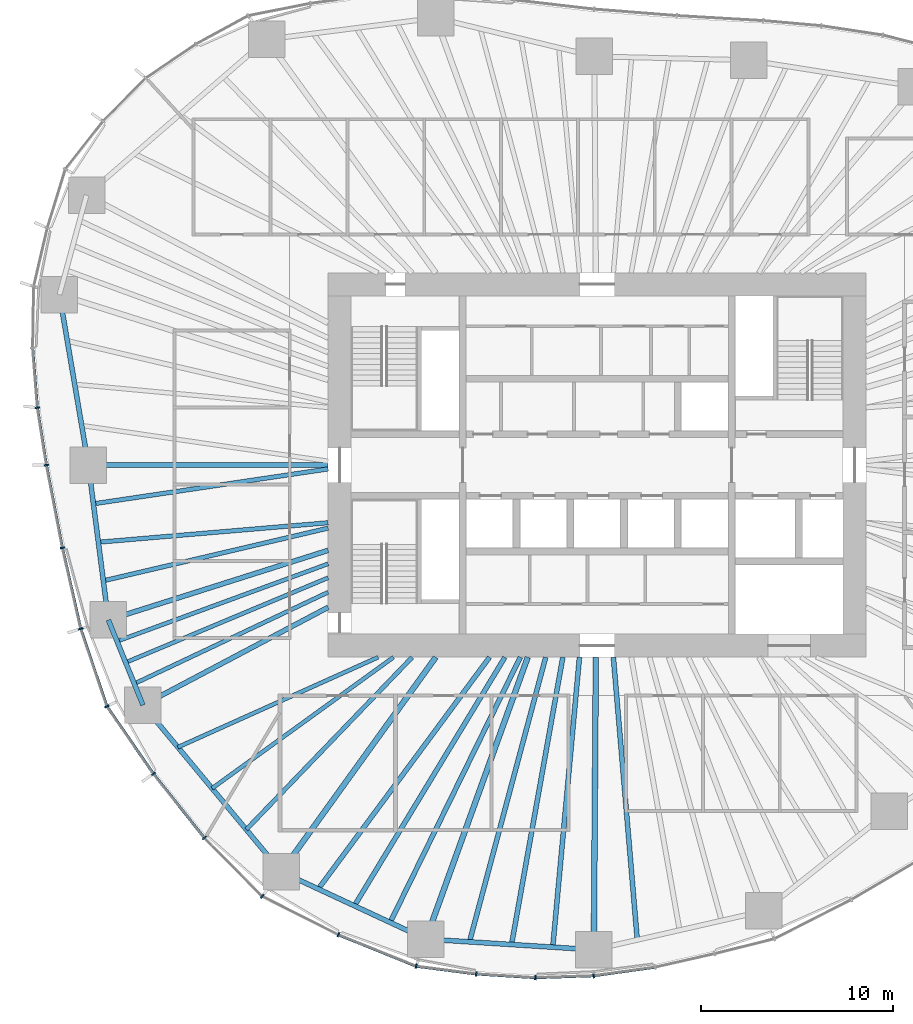
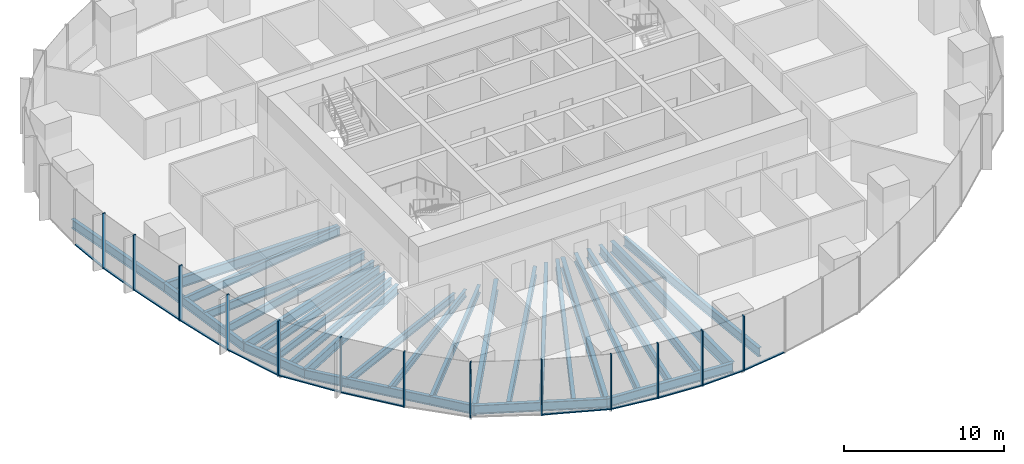
# One storey, part 2 of 20: 28 beams, 25 members, 7 elements without a shape of their own.
"""IFC4 building model written with IfcOpenShell, lengths in metres."""

from ifc_helpers import new_model, si_unit, direction, frame, origin, origin_2d, place, context, subcontext, project, spatial, rectangle, i_section, extrude, material, material_profile, profile_set, type_object, element, aggregate, save


model = new_model("IFC4")

# Units and contexts
model_context = context("Model", 3, precision=1e-05, world=origin(), true_north=direction((0.0, 1.0)))
body_context = subcontext(model_context, "Body", "Model", "MODEL_VIEW")
ifc_project = project(units=[si_unit("LENGTHUNIT", "METRE"), si_unit("AREAUNIT", "SQUARE_METRE"), si_unit("VOLUMEUNIT", "CUBIC_METRE"), si_unit("PLANEANGLEUNIT", "RADIAN"), si_unit("MASSUNIT", "GRAM", prefix="KILO")], contexts=[model_context])

# Site, building, storey
site_placement = place(None, origin())
site = spatial("IfcSite", under=ifc_project, at=site_placement, CompositionType="ELEMENT")
building_placement = place(site_placement, origin())
building = spatial("IfcBuilding", under=site, at=building_placement, Name="Ghaith Harvest Tower", CompositionType="ELEMENT")
storey_placement = place(building_placement, frame((0.0, 0.0, 109.199951171875)))
storey = spatial("IfcBuildingStorey", under=building, at=storey_placement, Name="L22", CompositionType="ELEMENT", Elevation=109.199951171875)

# Curtain wall, member
ifc_material_1 = material(Name="Black anodised aluminium and fritted glass", Category="aluminium")
curtain_wall_type = type_object("IfcCurtainWallType", Name="CW-L CURTAIN WALL", PredefinedType="NOTDEFINED", material=ifc_material_1)
curtain_wall_1_placement = place(storey_placement, origin())
curtain_wall_1 = element("IfcCurtainWall", 1, at=curtain_wall_1_placement, inside=storey, type_object=curtain_wall_type, Name="Curtain wall CW-L bay 10 L22", PredefinedType="NOTDEFINED")
ifc_material_2 = material(Name="Aluminium, black anodised", Category="aluminium")
ifc_material_profile_1 = material_profile(ifc_material_2, rectangle(XDim=0.080078125, YDim=0.239990234375, at=origin_2d()), Name="CW-L MULLION 80x240")
ifc_profile_set_1 = profile_set([ifc_material_profile_1], Name="Aluminium, black anodised")
member_type_1 = type_object("IfcMemberType", Name="CW-L MULLION 80x240", PredefinedType="MULLION", material=ifc_profile_set_1)
member_1_placement = place(storey_placement, frame((-29.131103515625, 2.990478515625, 0.0), z_axis=(0.0, 0.0, 1.0), x_axis=(0.116763791346, -0.993159713757, 0.0)))
member_1 = element("IfcMember", 2, at=member_1_placement, type_object=member_type_1, Name="CW-L mullion 3 bay 10 L22", PredefinedType="MULLION", context=body_context, shape_type="SweptSolid", body=[
    extrude(rectangle(XDim=0.080078125, YDim=0.239990234375, at=origin_2d()), origin(), (0.0, 0.0, 1.0), 4.199951171875),
])

# Curtain wall, members
curtain_wall_2_placement = place(storey_placement, origin())
curtain_wall_2 = element("IfcCurtainWall", 3, at=curtain_wall_2_placement, inside=storey, type_object=curtain_wall_type, Name="Curtain wall CW-L bay 11 L22", PredefinedType="NOTDEFINED")
member_2_placement = place(storey_placement, frame((-28.6611328125, 0.0, 0.0), z_axis=(0.0, 0.0, 1.0), x_axis=(0.175827209372, -0.984421044292, 0.0)))
member_2 = element("IfcMember", 4, at=member_2_placement, type_object=member_type_1, Name="CW-L mullion 1 bay 11 L22", PredefinedType="MULLION", context=body_context, shape_type="SweptSolid", body=[
    extrude(rectangle(XDim=0.080078125, YDim=0.239990234375, at=origin_2d()), origin(), (0.0, 0.0, 1.0), 4.199951171875),
])
member_3_placement = place(storey_placement, frame((-27.828125, -4.30419921875, 0.0), z_axis=(0.0, 0.0, 1.0), x_axis=(0.205176300018, -0.978725030798, 0.0)))
member_3 = element("IfcMember", 5, at=member_3_placement, type_object=member_type_1, Name="CW-L mullion 2 bay 11 L22", PredefinedType="MULLION", context=body_context, shape_type="SweptSolid", body=[
    extrude(rectangle(XDim=0.080078125, YDim=0.239990234375, at=origin_2d()), origin(), (0.0, 0.0, 1.0), 4.199951171875),
])

curtain_wall_3_placement = place(storey_placement, origin())
curtain_wall_3 = element("IfcCurtainWall", 6, at=curtain_wall_3_placement, inside=storey, type_object=curtain_wall_type, Name="Curtain wall CW-L bay 12 L22", PredefinedType="NOTDEFINED")
member_4_placement = place(storey_placement, frame((-26.875732421875, -8.517333984375, 0.0), z_axis=(0.0, 0.0, 1.0), x_axis=(0.270018818005, -0.962855045125, 0.0)))
member_4 = element("IfcMember", 7, at=member_4_placement, type_object=member_type_1, Name="CW-L mullion 1 bay 12 L22", PredefinedType="MULLION", context=body_context, shape_type="SweptSolid", body=[
    extrude(rectangle(XDim=0.080078125, YDim=0.239990234375, at=origin_2d()), origin(), (0.0, 0.0, 1.0), 4.199951171875),
])
member_5_placement = place(storey_placement, frame((-25.513427734375, -12.55810546875, 0.0), z_axis=(0.0, 0.0, 1.0), x_axis=(0.448267068681, -0.893899678452, 0.0)))
member_5 = element("IfcMember", 8, at=member_5_placement, type_object=member_type_1, Name="CW-L mullion 2 bay 12 L22", PredefinedType="MULLION", context=body_context, shape_type="SweptSolid", body=[
    extrude(rectangle(XDim=0.080078125, YDim=0.239990234375, at=origin_2d()), origin(), (0.0, 0.0, 1.0), 4.199951171875),
])

curtain_wall_4_placement = place(storey_placement, origin())
curtain_wall_4 = element("IfcCurtainWall", 9, at=curtain_wall_4_placement, inside=storey, type_object=curtain_wall_type, Name="Curtain wall CW-L bay 13 L22", PredefinedType="NOTDEFINED")
member_6_placement = place(storey_placement, frame((-23.090087890625, -16.066162109375, 0.0), z_axis=(0.0, 0.0, 1.0), x_axis=(0.595740202191, -0.803177198066, 0.0)))
member_6 = element("IfcMember", 10, at=member_6_placement, type_object=member_type_1, Name="CW-L mullion 1 bay 13 L22", PredefinedType="MULLION", context=body_context, shape_type="SweptSolid", body=[
    extrude(rectangle(XDim=0.080078125, YDim=0.239990234375, at=origin_2d()), origin(), (0.0, 0.0, 1.0), 4.199951171875),
])
member_7_placement = place(storey_placement, frame((-20.441162109375, -19.396728515625, 0.0), z_axis=(0.0, 0.0, 1.0), x_axis=(0.663764675537, -0.747941478666, 0.0)))
member_7 = element("IfcMember", 11, at=member_7_placement, type_object=member_type_1, Name="CW-L mullion 2 bay 13 L22", PredefinedType="MULLION", context=body_context, shape_type="SweptSolid", body=[
    extrude(rectangle(XDim=0.080078125, YDim=0.239990234375, at=origin_2d()), origin(), (0.0, 0.0, 1.0), 4.199951171875),
])

curtain_wall_5_placement = place(storey_placement, origin())
curtain_wall_5 = element("IfcCurtainWall", 12, at=curtain_wall_5_placement, inside=storey, type_object=curtain_wall_type, Name="Curtain wall CW-L bay 14 L22", PredefinedType="NOTDEFINED")
member_8_placement = place(storey_placement, frame((-17.430419921875, -22.443603515625, 0.0), z_axis=(0.0, 0.0, 1.0), x_axis=(0.810339399222, -0.585960799089, 0.0)))
member_8 = element("IfcMember", 13, at=member_8_placement, type_object=member_type_1, Name="CW-L mullion 1 bay 14 L22", PredefinedType="MULLION", context=body_context, shape_type="SweptSolid", body=[
    extrude(rectangle(XDim=0.080078125, YDim=0.239990234375, at=origin_2d()), origin(), (0.0, 0.0, 1.0), 4.199951171875),
])
member_9_placement = place(storey_placement, frame((-13.463134765625, -24.4423828125, 0.0), z_axis=(0.0, 0.0, 1.0), x_axis=(0.910648017946, -0.413182995066, 0.0)))
member_9 = element("IfcMember", 14, at=member_9_placement, type_object=member_type_1, Name="CW-L mullion 2 bay 14 L22", PredefinedType="MULLION", context=body_context, shape_type="SweptSolid", body=[
    extrude(rectangle(XDim=0.080078125, YDim=0.239990234375, at=origin_2d()), origin(), (0.0, 0.0, 1.0), 4.199951171875),
])

curtain_wall_6_placement = place(storey_placement, origin())
curtain_wall_6 = element("IfcCurtainWall", 15, at=curtain_wall_6_placement, inside=storey, type_object=curtain_wall_type, Name="Curtain wall CW-L bay 15 L22", PredefinedType="NOTDEFINED")
member_10_placement = place(storey_placement, frame((-9.4189453125, -26.07861328125, 0.0), z_axis=(0.0, 0.0, 1.0), x_axis=(0.961788606004, -0.273793128768, 0.0)))
member_10 = element("IfcMember", 16, at=member_10_placement, type_object=member_type_1, Name="CW-L mullion 1 bay 15 L22", PredefinedType="MULLION", context=body_context, shape_type="SweptSolid", body=[
    extrude(rectangle(XDim=0.080078125, YDim=0.239990234375, at=origin_2d()), origin(), (0.0, 0.0, 1.0), 4.199951171875),
])
member_11_placement = place(storey_placement, frame((-6.29443359375, -26.483154296875, 0.0), z_axis=(0.0, 0.0, 1.0), x_axis=(0.995389243171, -0.095917957546, 0.0)))
member_11 = element("IfcMember", 17, at=member_11_placement, type_object=member_type_1, Name="CW-L mullion 2 bay 15 L22", PredefinedType="MULLION", context=body_context, shape_type="SweptSolid", body=[
    extrude(rectangle(XDim=0.080078125, YDim=0.239990234375, at=origin_2d()), origin(), (0.0, 0.0, 1.0), 4.199951171875),
])
member_12_placement = place(storey_placement, frame((-3.21923828125, -26.676025390625, 0.0), z_axis=(0.0, 0.0, 1.0), x_axis=(0.999890531495, -0.014796115241, 0.0)))
member_12 = element("IfcMember", 18, at=member_12_placement, type_object=member_type_1, Name="CW-L mullion 3 bay 15 L22", PredefinedType="MULLION", context=body_context, shape_type="SweptSolid", body=[
    extrude(rectangle(XDim=0.080078125, YDim=0.239990234375, at=origin_2d()), origin(), (0.0, 0.0, 1.0), 4.199951171875),
])

# Curtain wall, member
curtain_wall_7_placement = place(storey_placement, origin())
curtain_wall_7 = element("IfcCurtainWall", 19, at=curtain_wall_7_placement, inside=storey, type_object=curtain_wall_type, Name="Curtain wall CW-L bay 16 L22", PredefinedType="NOTDEFINED")
member_13_placement = place(storey_placement, frame((-0.181884765625, -26.57373046875, 0.0), z_axis=(0.0, 0.0, 1.0), x_axis=(0.996169227662, 0.087446382772, 0.0)))
member_13 = element("IfcMember", 20, at=member_13_placement, type_object=member_type_1, Name="CW-L mullion 1 bay 16 L22", PredefinedType="MULLION", context=body_context, shape_type="SweptSolid", body=[
    extrude(rectangle(XDim=0.080078125, YDim=0.239990234375, at=origin_2d()), origin(), (0.0, 0.0, 1.0), 4.199951171875),
])

# Member
ifc_material_3 = material(Name="Aluminium, black anodised", Category="aluminium")
ifc_material_profile_2 = material_profile(ifc_material_3, rectangle(XDim=0.14990234375, YDim=0.080078125, at=origin_2d()), Name="CW-L TRANSOM 150x80")
ifc_profile_set_2 = profile_set([ifc_material_profile_2], Name="Aluminium, black anodised")
member_type_2 = type_object("IfcMemberType", Name="CW-L TRANSOM 150x80", PredefinedType="USERDEFINED", material=ifc_profile_set_2)
member_14_placement = place(storey_placement, frame((-29.374755859375, 6.05615234375, 0.0400390625), z_axis=(0.079230491279, -0.996856323274, 0.0), x_axis=(0.996856323274, 0.079230491279, 0.0)))
member_14 = element("IfcMember", 21, at=member_14_placement, type_object=member_type_2, Name="CW-L transom 2 bay 10 L22", ObjectType="TRANSOM", PredefinedType="USERDEFINED", context=body_context, shape_type="SweptSolid", body=[
    extrude(rectangle(XDim=0.14990234375, YDim=0.080078125, at=origin_2d()), origin(), (0.0, 0.0, 1.0), 3.03515625),
])

member_15_placement = place(storey_placement, frame((-29.124755859375, 2.951171875, 0.0400390625), z_axis=(0.155150065502, -0.987890913601, 0.0), x_axis=(0.987890913601, 0.155150065502, 0.0)))
member_15 = element("IfcMember", 22, at=member_15_placement, type_object=member_type_2, Name="CW-L transom 3 bay 10 L22", ObjectType="TRANSOM", PredefinedType="USERDEFINED", context=body_context, shape_type="SweptSolid", body=[
    extrude(rectangle(XDim=0.14990234375, YDim=0.080078125, at=origin_2d()), origin(), (0.0, 0.0, 1.0), 2.947265625),
])

aggregate(curtain_wall_1, [member_14, member_1, member_15])

member_16_placement = place(storey_placement, frame((-28.653564453125, -0.039306640625, 0.0400390625), z_axis=(0.190025434036, -0.981779167848, 0.0), x_axis=(0.981779167848, 0.190025434036, 0.0)))
member_16 = element("IfcMember", 23, at=member_16_placement, type_object=member_type_2, Name="CW-L transom 1 bay 11 L22", ObjectType="TRANSOM", PredefinedType="USERDEFINED", context=body_context, shape_type="SweptSolid", body=[
    extrude(rectangle(XDim=0.14990234375, YDim=0.080078125, at=origin_2d()), origin(), (0.0, 0.0, 1.0), 4.303955078125),
])

member_17_placement = place(storey_placement, frame((-27.8193359375, -4.34326171875, 0.0400390625), z_axis=(0.220508326041, -0.975385092231, 0.0), x_axis=(0.975385092231, 0.220508326041, 0.0)))
member_17 = element("IfcMember", 24, at=member_17_placement, type_object=member_type_2, Name="CW-L transom 2 bay 11 L22", ObjectType="TRANSOM", PredefinedType="USERDEFINED", context=body_context, shape_type="SweptSolid", body=[
    extrude(rectangle(XDim=0.14990234375, YDim=0.080078125, at=origin_2d()), origin(), (0.0, 0.0, 1.0), 4.2392578125),
])

aggregate(curtain_wall_2, [member_2, member_16, member_3, member_17])

member_18_placement = place(storey_placement, frame((-26.863037109375, -8.55517578125, 0.0400390625), z_axis=(0.319499057133, -0.947586593664, 0.0), x_axis=(0.947586593664, 0.319499057133, 0.0)))
member_18 = element("IfcMember", 25, at=member_18_placement, type_object=member_type_2, Name="CW-L transom 1 bay 12 L22", ObjectType="TRANSOM", PredefinedType="USERDEFINED", context=body_context, shape_type="SweptSolid", body=[
    extrude(rectangle(XDim=0.14990234375, YDim=0.080078125, at=origin_2d()), origin(), (0.0, 0.0, 1.0), 4.184326171875),
])

member_19_placement = place(storey_placement, frame((-25.49072265625, -12.591064453125, 0.0400390625), z_axis=(0.568360052499, -0.822779952796, 0.0), x_axis=(0.822779952796, 0.568360052499, 0.0)))
member_19 = element("IfcMember", 26, at=member_19_placement, type_object=member_type_2, Name="CW-L transom 2 bay 12 L22", ObjectType="TRANSOM", PredefinedType="USERDEFINED", context=body_context, shape_type="SweptSolid", body=[
    extrude(rectangle(XDim=0.14990234375, YDim=0.080078125, at=origin_2d()), origin(), (0.0, 0.0, 1.0), 4.183837890625),
])

aggregate(curtain_wall_3, [member_4, member_18, member_5, member_19])

member_20_placement = place(storey_placement, frame((-23.065185546875, -16.09765625, 0.0400390625), z_axis=(0.622510542814, -0.782611413209, 0.0), x_axis=(0.782611413209, 0.622510542814, 0.0)))
member_20 = element("IfcMember", 27, at=member_20_placement, type_object=member_type_2, Name="CW-L transom 1 bay 13 L22", ObjectType="TRANSOM", PredefinedType="USERDEFINED", context=body_context, shape_type="SweptSolid", body=[
    extrude(rectangle(XDim=0.14990234375, YDim=0.080078125, at=origin_2d()), origin(), (0.0, 0.0, 1.0), 4.17529296875),
])

aggregate(curtain_wall_4, [member_6, member_20, member_7])

member_21_placement = place(storey_placement, frame((-13.426025390625, -24.45751953125, 0.0400390625), z_axis=(0.92700297754, -0.375053968959, 0.0), x_axis=(0.375053968959, 0.92700297754, 0.0)))
member_21 = element("IfcMember", 28, at=member_21_placement, type_object=member_type_2, Name="CW-L transom 2 bay 14 L22", ObjectType="TRANSOM", PredefinedType="USERDEFINED", context=body_context, shape_type="SweptSolid", body=[
    extrude(rectangle(XDim=0.14990234375, YDim=0.080078125, at=origin_2d()), origin(), (0.0, 0.0, 1.0), 4.282470703125),
])

aggregate(curtain_wall_5, [member_8, member_9, member_21])

member_22_placement = place(storey_placement, frame((-9.37939453125, -26.083740234375, 0.0400390625), z_axis=(0.991722765635, -0.128397648429, 0.0), x_axis=(0.128397648429, 0.991722765635, 0.0)))
member_22 = element("IfcMember", 29, at=member_22_placement, type_object=member_type_2, Name="CW-L transom 1 bay 15 L22", ObjectType="TRANSOM", PredefinedType="USERDEFINED", context=body_context, shape_type="SweptSolid", body=[
    extrude(rectangle(XDim=0.14990234375, YDim=0.080078125, at=origin_2d()), origin(), (0.0, 0.0, 1.0), 3.07080078125),
])

member_23_placement = place(storey_placement, frame((-6.25439453125, -26.485595703125, 0.0400390625), z_axis=(0.998036402434, -0.062636566132, 0.0), x_axis=(0.062636566132, 0.998036402434, 0.0)))
member_23 = element("IfcMember", 30, at=member_23_placement, type_object=member_type_2, Name="CW-L transom 2 bay 15 L22", ObjectType="TRANSOM", PredefinedType="USERDEFINED", context=body_context, shape_type="SweptSolid", body=[
    extrude(rectangle(XDim=0.14990234375, YDim=0.080078125, at=origin_2d()), origin(), (0.0, 0.0, 1.0), 3.001220703125),
])

member_24_placement = place(storey_placement, frame((-3.17919921875, -26.6748046875, 0.0400390625), z_axis=(0.999430436664, 0.033746144522, 0.0), x_axis=(-0.033746144522, 0.999430436664, 0.0)))
member_24 = element("IfcMember", 31, at=member_24_placement, type_object=member_type_2, Name="CW-L transom 3 bay 15 L22", ObjectType="TRANSOM", PredefinedType="USERDEFINED", context=body_context, shape_type="SweptSolid", body=[
    extrude(rectangle(XDim=0.14990234375, YDim=0.080078125, at=origin_2d()), origin(), (0.0, 0.0, 1.0), 2.958984375),
])

aggregate(curtain_wall_6, [member_10, member_22, member_11, member_23, member_12, member_24])

member_25_placement = place(storey_placement, frame((-0.142333984375, -26.568115234375, 0.0400390625), z_axis=(0.990446640965, 0.137896524254, 0.0), x_axis=(-0.137896524254, 0.990446640965, 0.0)))
member_25 = element("IfcMember", 32, at=member_25_placement, type_object=member_type_2, Name="CW-L transom 1 bay 16 L22", ObjectType="TRANSOM", PredefinedType="USERDEFINED", context=body_context, shape_type="SweptSolid", body=[
    extrude(rectangle(XDim=0.14990234375, YDim=0.080078125, at=origin_2d()), origin(), (0.0, 0.0, 1.0), 3.142578125),
])

aggregate(curtain_wall_7, [member_13, member_25])

# Beams
ifc_material_4 = material(Name="Steel ASTM A992 Grade 50", Category="steel")
ifc_material_profile_3 = material_profile(ifc_material_4, i_section(OverallWidth=0.25390625, OverallDepth=0.68408203125, WebThickness=0.012451171875, FlangeThickness=0.018798828125, at=origin_2d()), Name="W690X140")
ifc_profile_set_3 = profile_set([ifc_material_profile_3], Name="Steel ASTM A992 Grade 50")
beam_type_1 = type_object("IfcBeamType", Name="E690-140 W690X140", PredefinedType="SPANDREL", material=ifc_profile_set_3)
beam_1_placement = place(storey_placement, frame((-27.98291015625, 8.867919921875, -0.511962890625), z_axis=(0.167624246844, -0.985850958244, 0.0), x_axis=(0.985850958244, 0.167624246844, 0.0)))
element("IfcBeam", 33, at=beam_1_placement, inside=storey, type_object=beam_type_1, Name="Edge beam E10 L22", PredefinedType="SPANDREL", context=body_context, shape_type="SweptSolid", body=[
    extrude(i_section(OverallWidth=0.25390625, OverallDepth=0.68408203125, WebThickness=0.012451171875, FlangeThickness=0.018798828125, at=origin_2d()), origin(), (0.0, 0.0, 1.0), 8.9951171875),
])
beam_2_placement = place(storey_placement, frame((-26.47509765625, 0.0, -0.511962890625), z_axis=(0.127841715048, -0.991794583517, 0.0), x_axis=(0.991794583517, 0.127841715048, 0.0)))
element("IfcBeam", 34, at=beam_2_placement, inside=storey, type_object=beam_type_1, Name="Edge beam E11 L22", PredefinedType="SPANDREL", context=body_context, shape_type="SweptSolid", body=[
    extrude(i_section(OverallWidth=0.25390625, OverallDepth=0.68408203125, WebThickness=0.012451171875, FlangeThickness=0.018798828125, at=origin_2d()), origin(), (0.0, 0.0, 1.0), 8.127685546875),
])
beam_3_placement = place(storey_placement, frame((-25.43603515625, -8.06103515625, -0.511962890625), z_axis=(0.376479712052, -0.9264248628, 0.0), x_axis=(0.9264248628, 0.376479712052, 0.0)))
element("IfcBeam", 35, at=beam_3_placement, inside=storey, type_object=beam_type_1, Name="Edge beam E12 L22", PredefinedType="SPANDREL", context=body_context, shape_type="SweptSolid", body=[
    extrude(i_section(OverallWidth=0.25390625, OverallDepth=0.68408203125, WebThickness=0.012451171875, FlangeThickness=0.018798828125, at=origin_2d()), origin(), (0.0, 0.0, 1.0), 4.783935546875),
])
beam_4_placement = place(storey_placement, frame((-23.635009765625, -12.492919921875, -0.511962890625), z_axis=(0.638719320052, -0.769439815835, 0.0), x_axis=(0.769439815835, 0.638719320052, 0.0)))
element("IfcBeam", 36, at=beam_4_placement, inside=storey, type_object=beam_type_1, Name="Edge beam E13 L22", PredefinedType="SPANDREL", context=body_context, shape_type="SweptSolid", body=[
    extrude(i_section(OverallWidth=0.25390625, OverallDepth=0.68408203125, WebThickness=0.012451171875, FlangeThickness=0.018798828125, at=origin_2d()), origin(), (0.0, 0.0, 1.0), 11.26953125),
])
beam_5_placement = place(storey_placement, frame((-16.43701171875, -21.1640625, -0.511962890625), z_axis=(0.906607079462, -0.421975832802, 0.0), x_axis=(0.421975832802, 0.906607079462, 0.0)))
element("IfcBeam", 37, at=beam_5_placement, inside=storey, type_object=beam_type_1, Name="Edge beam E14 L22", PredefinedType="SPANDREL", context=body_context, shape_type="SweptSolid", body=[
    extrude(i_section(OverallWidth=0.25390625, OverallDepth=0.68408203125, WebThickness=0.012451171875, FlangeThickness=0.018798828125, at=origin_2d()), origin(), (0.0, 0.0, 1.0), 8.303466796875),
])
beam_6_placement = place(storey_placement, frame((-8.908935546875, -24.66796875, -0.511962890625), z_axis=(0.99797963184, -0.063534671101, 0.0), x_axis=(0.063534671101, 0.99797963184, 0.0)))
element("IfcBeam", 38, at=beam_6_placement, inside=storey, type_object=beam_type_1, Name="Edge beam E15 L22", PredefinedType="SPANDREL", context=body_context, shape_type="SweptSolid", body=[
    extrude(i_section(OverallWidth=0.25390625, OverallDepth=0.68408203125, WebThickness=0.012451171875, FlangeThickness=0.018798828125, at=origin_2d()), origin(), (0.0, 0.0, 1.0), 8.75341796875),
])
ifc_material_5 = material(Name="Steel ASTM A992 Grade 50", Category="steel")
ifc_material_profile_4 = material_profile(ifc_material_5, i_section(OverallWidth=0.256103515625, OverallDepth=0.693115234375, WebThickness=0.014404296875, FlangeThickness=0.023681640625, at=origin_2d()), Name="W690X170")
ifc_profile_set_4 = profile_set([ifc_material_profile_4], Name="Steel ASTM A992 Grade 50")
beam_type_2 = type_object("IfcBeamType", Name="G690-170 W690X170", PredefinedType="BEAM", material=ifc_profile_set_4)
beam_7_placement = place(storey_placement, frame((-14.0, -4.43701171875, -0.516357421875), z_axis=(-0.953279533519, -0.302089607522, 0.0), x_axis=(0.302089607522, -0.953279533519, 0.0)))
element("IfcBeam", 39, at=beam_7_placement, inside=storey, type_object=beam_type_2, Name="Radial girder G12 L22", PredefinedType="BEAM", context=body_context, shape_type="SweptSolid", body=[
    extrude(i_section(OverallWidth=0.256103515625, OverallDepth=0.693115234375, WebThickness=0.014404296875, FlangeThickness=0.023681640625, at=origin_2d()), origin(), (0.0, 0.0, 1.0), 11.99658203125),
])
beam_8_placement = place(storey_placement, frame((-14.0, -7.39990234375, -0.516357421875), z_axis=(-0.884086346066, -0.467323584576, 0.0), x_axis=(0.467323584576, -0.884086346066, 0.0)))
element("IfcBeam", 40, at=beam_8_placement, inside=storey, type_object=beam_type_2, Name="Radial girder G13 L22", PredefinedType="BEAM", context=body_context, shape_type="SweptSolid", body=[
    extrude(i_section(OverallWidth=0.256103515625, OverallDepth=0.693115234375, WebThickness=0.014404296875, FlangeThickness=0.023681640625, at=origin_2d()), origin(), (0.0, 0.0, 1.0), 10.898193359375),
])
ifc_material_6 = material(Name="Steel ASTM A992 Grade 50", Category="steel")
ifc_material_profile_5 = material_profile(ifc_material_6, i_section(OverallWidth=0.26806640625, OverallDepth=0.77001953125, WebThickness=0.015625, FlangeThickness=0.025390625, at=origin_2d()), Name="W760X196")
ifc_profile_set_5 = profile_set([ifc_material_profile_5], Name="Steel ASTM A992 Grade 50")
beam_type_3 = type_object("IfcBeamType", Name="G760-196 W760X196", PredefinedType="BEAM", material=ifc_profile_set_5)
beam_9_placement = place(storey_placement, frame((-14.0, 0.0, -0.554931640625), z_axis=(-1.0, 0.0, 0.0), x_axis=(0.0, -1.0, 0.0)))
element("IfcBeam", 41, at=beam_9_placement, inside=storey, type_object=beam_type_3, Name="Radial girder G11 L22", PredefinedType="BEAM", context=body_context, shape_type="SweptSolid", body=[
    extrude(i_section(OverallWidth=0.26806640625, OverallDepth=0.77001953125, WebThickness=0.015625, FlangeThickness=0.025390625, at=origin_2d()), origin(), (0.0, 0.0, 1.0), 12.47509765625),
])
ifc_material_7 = material(Name="Steel ASTM A992 Grade 50", Category="steel")
ifc_material_profile_6 = material_profile(ifc_material_7, i_section(OverallWidth=0.2939453125, OverallDepth=0.85107421875, WebThickness=0.01611328125, FlangeThickness=0.02685546875, at=origin_2d()), Name="W840X226")
ifc_profile_set_6 = profile_set([ifc_material_profile_6], Name="Steel ASTM A992 Grade 50")
beam_type_4 = type_object("IfcBeamType", Name="G840-226 W840X226", PredefinedType="BEAM", material=ifc_profile_set_6)
beam_10_placement = place(storey_placement, frame((-8.39990234375, -10.0, -0.595458984375), z_axis=(-0.584256100809, -0.811569349265, 0.0), x_axis=(0.811569349265, -0.584256100809, 0.0)))
element("IfcBeam", 42, at=beam_10_placement, inside=storey, type_object=beam_type_4, Name="Radial girder G14 L22", PredefinedType="BEAM", context=body_context, shape_type="SweptSolid", body=[
    extrude(i_section(OverallWidth=0.2939453125, OverallDepth=0.85107421875, WebThickness=0.01611328125, FlangeThickness=0.02685546875, at=origin_2d()), origin(), (0.0, 0.0, 1.0), 13.756103515625),
])
beam_11_placement = place(storey_placement, frame((-3.61181640625, -10.0, -0.595458984375), z_axis=(-0.339664467784, -0.940546675782, 0.0), x_axis=(0.940546675782, -0.339664467784, 0.0)))
element("IfcBeam", 43, at=beam_11_placement, inside=storey, type_object=beam_type_4, Name="Radial girder G15 L22", PredefinedType="BEAM", context=body_context, shape_type="SweptSolid", body=[
    extrude(i_section(OverallWidth=0.2939453125, OverallDepth=0.85107421875, WebThickness=0.01611328125, FlangeThickness=0.02685546875, at=origin_2d()), origin(), (0.0, 0.0, 1.0), 15.59521484375),
])
beam_12_placement = place(storey_placement, frame((-0.068359375, -10.0, -0.595458984375), z_axis=(-0.006879467722, -0.999976336182, 0.0), x_axis=(0.999976336182, -0.006879467722, 0.0)))
element("IfcBeam", 44, at=beam_12_placement, inside=storey, type_object=beam_type_4, Name="Radial girder G16 L22", PredefinedType="BEAM", context=body_context, shape_type="SweptSolid", body=[
    extrude(i_section(OverallWidth=0.2939453125, OverallDepth=0.85107421875, WebThickness=0.01611328125, FlangeThickness=0.02685546875, at=origin_2d()), origin(), (0.0, 0.0, 1.0), 15.224365234375),
])
ifc_material_8 = material(Name="Steel ASTM A992 Grade 50", Category="steel")
ifc_material_profile_7 = material_profile(ifc_material_8, i_section(OverallWidth=0.2109375, OverallDepth=0.5390625, WebThickness=0.01171875, FlangeThickness=0.018798828125, at=origin_2d()), Name="W530X109")
ifc_profile_set_7 = profile_set([ifc_material_profile_7], Name="Steel ASTM A992 Grade 50")
beam_type_5 = type_object("IfcBeamType", Name="J530-109 W530X109", PredefinedType="JOIST", material=ifc_profile_set_7)
beam_13_placement = place(storey_placement, frame((-14.0, -5.137939453125, -0.439453125), z_axis=(-0.938774452531, -0.344532331247, 0.0), x_axis=(0.344532331247, -0.938774452531, 0.0)))
element("IfcBeam", 45, at=beam_13_placement, inside=storey, type_object=beam_type_5, Name="Joist J12.1 L22", PredefinedType="JOIST", context=body_context, shape_type="SweptSolid", body=[
    extrude(i_section(OverallWidth=0.2109375, OverallDepth=0.5390625, WebThickness=0.01171875, FlangeThickness=0.018798828125, at=origin_2d()), origin(), (0.0, 0.0, 1.0), 11.7021484375),
])
beam_14_placement = place(storey_placement, frame((-14.0, -5.862548828125, -0.439453125), z_axis=(-0.922385564947, -0.386270461693, 0.0), x_axis=(0.386270461693, -0.922385564947, 0.0)))
element("IfcBeam", 46, at=beam_14_placement, inside=storey, type_object=beam_type_5, Name="Joist J12.2 L22", PredefinedType="JOIST", context=body_context, shape_type="SweptSolid", body=[
    extrude(i_section(OverallWidth=0.2109375, OverallDepth=0.5390625, WebThickness=0.01171875, FlangeThickness=0.018798828125, at=origin_2d()), origin(), (0.0, 0.0, 1.0), 11.4228515625),
])
beam_15_placement = place(storey_placement, frame((-14.0, -6.614990234375, -0.439453125), z_axis=(-0.904150042111, -0.427215052815, 0.0), x_axis=(0.427215052815, -0.904150042111, 0.0)))
element("IfcBeam", 47, at=beam_15_placement, inside=storey, type_object=beam_type_5, Name="Joist J12.3 L22", PredefinedType="JOIST", context=body_context, shape_type="SweptSolid", body=[
    extrude(i_section(OverallWidth=0.2109375, OverallDepth=0.5390625, WebThickness=0.01171875, FlangeThickness=0.018798828125, at=origin_2d()), origin(), (0.0, 0.0, 1.0), 11.15625),
])
beam_16_placement = place(storey_placement, frame((-11.39990234375, -10.0, -0.439453125), z_axis=(-0.912147734774, -0.409861574127, 0.0), x_axis=(0.409861574127, -0.912147734774, 0.0)))
element("IfcBeam", 48, at=beam_16_placement, inside=storey, type_object=beam_type_5, Name="Joist J13.1 L22", PredefinedType="JOIST", context=body_context, shape_type="SweptSolid", body=[
    extrude(i_section(OverallWidth=0.2109375, OverallDepth=0.5390625, WebThickness=0.01171875, FlangeThickness=0.018798828125, at=origin_2d()), origin(), (0.0, 0.0, 1.0), 11.421875),
])
beam_17_placement = place(storey_placement, frame((-10.60009765625, -10.0, -0.439453125), z_axis=(-0.810452010932, -0.5858050341, 0.0), x_axis=(0.5858050341, -0.810452010932, 0.0)))
element("IfcBeam", 49, at=beam_17_placement, inside=storey, type_object=beam_type_5, Name="Joist J13.2 L22", PredefinedType="JOIST", context=body_context, shape_type="SweptSolid", body=[
    extrude(i_section(OverallWidth=0.2109375, OverallDepth=0.5390625, WebThickness=0.01171875, FlangeThickness=0.018798828125, at=origin_2d()), origin(), (0.0, 0.0, 1.0), 11.64794921875),
])
ifc_material_9 = material(Name="Steel ASTM A992 Grade 50", Category="steel")
ifc_material_profile_8 = material_profile(ifc_material_9, i_section(OverallWidth=0.22900390625, OverallDepth=0.612060546875, WebThickness=0.011962890625, FlangeThickness=0.01953125, at=origin_2d()), Name="W610X125")
ifc_profile_set_8 = profile_set([ifc_material_profile_8], Name="Steel ASTM A992 Grade 50")
beam_type_6 = type_object("IfcBeamType", Name="J610-125 W610X125", PredefinedType="JOIST", material=ifc_profile_set_8)
beam_18_placement = place(storey_placement, frame((-14.0, -0.199951171875, -0.475830078125), z_axis=(-0.989135422742, -0.147007195321, 0.0), x_axis=(0.147007195321, -0.989135422742, 0.0)))
element("IfcBeam", 50, at=beam_18_placement, inside=storey, type_object=beam_type_6, Name="Joist J11.1 L22", PredefinedType="JOIST", context=body_context, shape_type="SweptSolid", body=[
    extrude(i_section(OverallWidth=0.22900390625, OverallDepth=0.612060546875, WebThickness=0.011962890625, FlangeThickness=0.01953125, at=origin_2d()), origin(), (0.0, 0.0, 1.0), 12.349365234375),
])
beam_19_placement = place(storey_placement, frame((-14.0, -3.0, -0.475830078125), z_axis=(-0.996417474722, -0.0845707755, 0.0), x_axis=(0.0845707755, -0.996417474722, 0.0)))
element("IfcBeam", 51, at=beam_19_placement, inside=storey, type_object=beam_type_6, Name="Joist J11.2 L22", PredefinedType="JOIST", context=body_context, shape_type="SweptSolid", body=[
    extrude(i_section(OverallWidth=0.22900390625, OverallDepth=0.612060546875, WebThickness=0.011962890625, FlangeThickness=0.01953125, at=origin_2d()), origin(), (0.0, 0.0, 1.0), 12.00048828125),
])
beam_20_placement = place(storey_placement, frame((-14.0, -3.280517578125, -0.475830078125), z_axis=(-0.973624350862, -0.228157014813, 0.0), x_axis=(0.228157014813, -0.973624350862, 0.0)))
element("IfcBeam", 52, at=beam_20_placement, inside=storey, type_object=beam_type_6, Name="Joist J11.3 L22", PredefinedType="JOIST", context=body_context, shape_type="SweptSolid", body=[
    extrude(i_section(OverallWidth=0.22900390625, OverallDepth=0.612060546875, WebThickness=0.011962890625, FlangeThickness=0.01953125, at=origin_2d()), origin(), (0.0, 0.0, 1.0), 12.015625),
])
beam_21_placement = place(storey_placement, frame((-9.626708984375, -10.0, -0.475830078125), z_axis=(-0.693534641621, -0.720423278963, 0.0), x_axis=(0.720423278963, -0.693534641621, 0.0)))
element("IfcBeam", 53, at=beam_21_placement, inside=storey, type_object=beam_type_6, Name="Joist J13.3 L22", PredefinedType="JOIST", context=body_context, shape_type="SweptSolid", body=[
    extrude(i_section(OverallWidth=0.22900390625, OverallDepth=0.612060546875, WebThickness=0.011962890625, FlangeThickness=0.01953125, at=origin_2d()), origin(), (0.0, 0.0, 1.0), 12.4482421875),
])
ifc_material_10 = material(Name="Steel ASTM A992 Grade 50", Category="steel")
ifc_material_profile_9 = material_profile(ifc_material_10, i_section(OverallWidth=0.25390625, OverallDepth=0.68408203125, WebThickness=0.012451171875, FlangeThickness=0.018798828125, at=origin_2d()), Name="W690X140")
ifc_profile_set_9 = profile_set([ifc_material_profile_9], Name="Steel ASTM A992 Grade 50")
beam_type_7 = type_object("IfcBeamType", Name="J690-140 W690X140", PredefinedType="JOIST", material=ifc_profile_set_9)
beam_22_placement = place(storey_placement, frame((-5.60009765625, -10.0, -0.511962890625), z_axis=(-0.59434024765, -0.804213696739, 0.0), x_axis=(0.804213696739, -0.59434024765, 0.0)))
element("IfcBeam", 54, at=beam_22_placement, inside=storey, type_object=beam_type_7, Name="Joist J14.1 L22", PredefinedType="JOIST", context=body_context, shape_type="SweptSolid", body=[
    extrude(i_section(OverallWidth=0.25390625, OverallDepth=0.68408203125, WebThickness=0.012451171875, FlangeThickness=0.018798828125, at=origin_2d()), origin(), (0.0, 0.0, 1.0), 14.995849609375),
])
beam_23_placement = place(storey_placement, frame((-4.800048828125, -10.0, -0.511962890625), z_axis=(-0.517986442874, -0.855388826791, 0.0), x_axis=(0.855388826791, -0.517986442874, 0.0)))
element("IfcBeam", 55, at=beam_23_placement, inside=storey, type_object=beam_type_7, Name="Joist J14.2 L22", PredefinedType="JOIST", context=body_context, shape_type="SweptSolid", body=[
    extrude(i_section(OverallWidth=0.25390625, OverallDepth=0.68408203125, WebThickness=0.012451171875, FlangeThickness=0.018798828125, at=origin_2d()), origin(), (0.0, 0.0, 1.0), 15.12158203125),
])
beam_24_placement = place(storey_placement, frame((-4.0, -10.0, -0.511962890625), z_axis=(-0.440562898219, -0.897721745706, 0.0), x_axis=(0.897721745706, -0.440562898219, 0.0)))
element("IfcBeam", 56, at=beam_24_placement, inside=storey, type_object=beam_type_7, Name="Joist J14.3 L22", PredefinedType="JOIST", context=body_context, shape_type="SweptSolid", body=[
    extrude(i_section(OverallWidth=0.25390625, OverallDepth=0.68408203125, WebThickness=0.012451171875, FlangeThickness=0.018798828125, at=origin_2d()), origin(), (0.0, 0.0, 1.0), 15.372802734375),
])
beam_25_placement = place(storey_placement, frame((-2.677978515625, -10.0, -0.511962890625), z_axis=(-0.258693109612, -0.965959561803, 0.0), x_axis=(0.965959561803, -0.258693109612, 0.0)))
element("IfcBeam", 57, at=beam_25_placement, inside=storey, type_object=beam_type_7, Name="Joist J15.1 L22", PredefinedType="JOIST", context=body_context, shape_type="SweptSolid", body=[
    extrude(i_section(OverallWidth=0.25390625, OverallDepth=0.68408203125, WebThickness=0.012451171875, FlangeThickness=0.018798828125, at=origin_2d()), origin(), (0.0, 0.0, 1.0), 15.333984375),
])
beam_26_placement = place(storey_placement, frame((-1.785888671875, -10.0, -0.511962890625), z_axis=(-0.175792307544, -0.984427277461, 0.0), x_axis=(0.984427277461, -0.175792307544, 0.0)))
element("IfcBeam", 58, at=beam_26_placement, inside=storey, type_object=beam_type_7, Name="Joist J15.2 L22", PredefinedType="JOIST", context=body_context, shape_type="SweptSolid", body=[
    extrude(i_section(OverallWidth=0.25390625, OverallDepth=0.68408203125, WebThickness=0.012451171875, FlangeThickness=0.018798828125, at=origin_2d()), origin(), (0.0, 0.0, 1.0), 15.18798828125),
])
beam_27_placement = place(storey_placement, frame((-0.92041015625, -10.0, -0.511962890625), z_axis=(-0.091651457116, -0.995791147987, 0.0), x_axis=(0.995791147987, -0.091651457116, 0.0)))
element("IfcBeam", 59, at=beam_27_placement, inside=storey, type_object=beam_type_7, Name="Joist J15.3 L22", PredefinedType="JOIST", context=body_context, shape_type="SweptSolid", body=[
    extrude(i_section(OverallWidth=0.25390625, OverallDepth=0.68408203125, WebThickness=0.012451171875, FlangeThickness=0.018798828125, at=origin_2d()), origin(), (0.0, 0.0, 1.0), 15.151611328125),
])
beam_28_placement = place(storey_placement, frame((0.844970703125, -10.0, -0.511962890625), z_axis=(0.084208979751, -0.996448115924, 0.0), x_axis=(0.996448115924, 0.084208979751, 0.0)))
element("IfcBeam", 60, at=beam_28_placement, inside=storey, type_object=beam_type_7, Name="Joist J16.1 L22", PredefinedType="JOIST", context=body_context, shape_type="SweptSolid", body=[
    extrude(i_section(OverallWidth=0.25390625, OverallDepth=0.68408203125, WebThickness=0.012451171875, FlangeThickness=0.018798828125, at=origin_2d()), origin(), (0.0, 0.0, 1.0), 14.760009765625),
])

save(model, "model.ifc")
